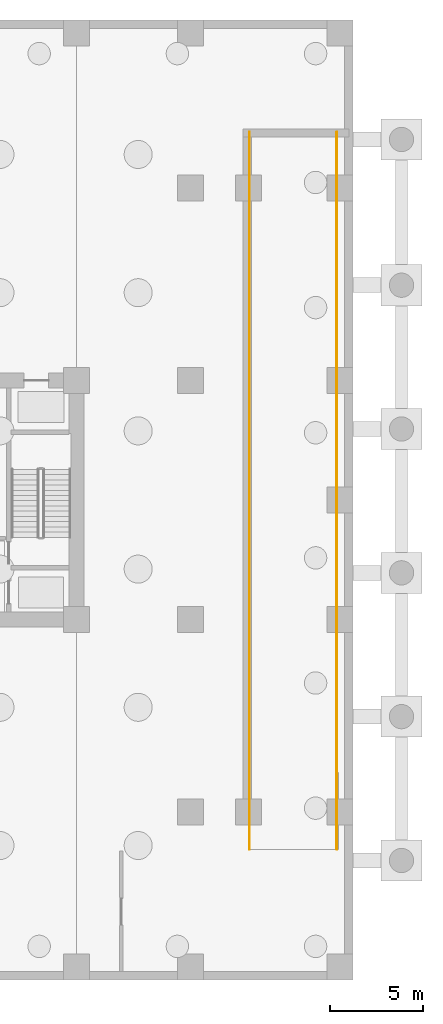
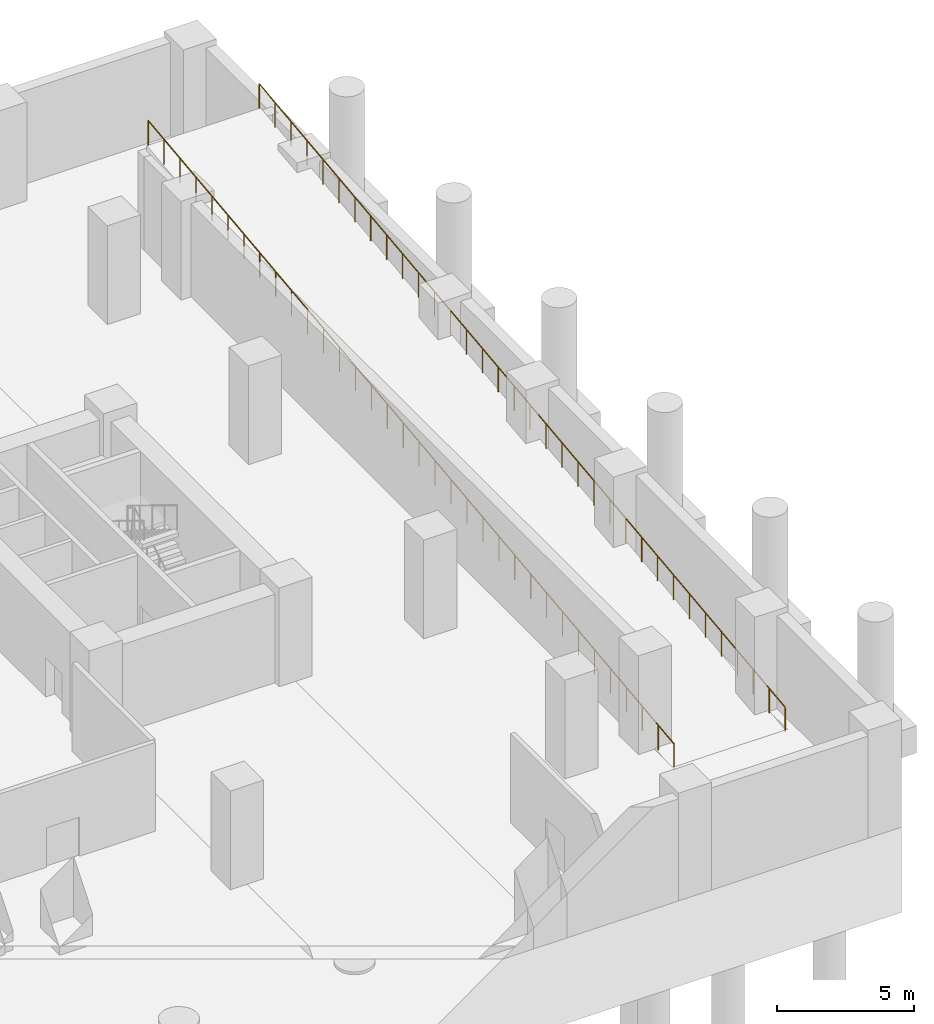
# One storey, part 5 of 6: 2 railings.
"""IFC4 building model written with IfcOpenShell, lengths in metres."""

from ifc_helpers import new_model, si_unit, direction, frame, origin, origin_2d, place, context, subcontext, project, spatial, circle, extrude, material, type_object, element, save


model = new_model("IFC4")

# Units and contexts
model_context = context("Model", 3, precision=1e-05, world=origin(), true_north=direction((0.0, 1.0)))
body_context = subcontext(model_context, "Body", "Model", "MODEL_VIEW")
ifc_project = project(units=[si_unit("LENGTHUNIT", "METRE"), si_unit("AREAUNIT", "SQUARE_METRE"), si_unit("VOLUMEUNIT", "CUBIC_METRE"), si_unit("PLANEANGLEUNIT", "RADIAN"), si_unit("MASSUNIT", "GRAM", prefix="KILO")], contexts=[model_context])

# Site, building, storey
site_placement = place(None, origin())
site = spatial("IfcSite", under=ifc_project, at=site_placement, CompositionType="ELEMENT")
building_placement = place(site_placement, origin())
building = spatial("IfcBuilding", under=site, at=building_placement, Name="Kranthara Brick Stack", CompositionType="ELEMENT")
storey_placement = place(building_placement, frame((0.0, 0.0, -4.800048828125)))
storey = spatial("IfcBuildingStorey", under=building, at=storey_placement, Name="B01", CompositionType="ELEMENT", Elevation=-4.800048828125)

# Railings
ifc_material = material(Name="Bronze anodised aluminium and laminated glass balustrade", Category="aluminium")
railing_type = type_object("IfcRailingType", Name="RL-BALC-1120", PredefinedType="BALUSTRADE", material=ifc_material)
railing_1_placement = place(storey_placement, frame((52.4599609375, 8.5, 0.300048828125)))
element("IfcRailing", 1, at=railing_1_placement, inside=storey, type_object=railing_type, Name="B01 Vehicle Ramp West Sloped Guardrail", PredefinedType="BALUSTRADE", context=body_context, shape_type="SweptSolid", body=[
    extrude(circle(Radius=0.02392578125, at=origin_2d()), frame((0.0, 0.0, 1.09619140625), z_axis=(0.0, 0.993203433267, 0.116391323334), x_axis=(-1.0, 0.0, 0.0)), (0.0, 0.0, 1.0), 38.66259765625),
    extrude(circle(Radius=0.02099609375, at=origin_2d()), origin(), (0.0, 0.0, 1.0), 1.072021484375),
    extrude(circle(Radius=0.02099609375, at=origin_2d()), frame((0.0, 1.16357421875, 0.136474609375)), (0.0, 0.0, 1.0), 1.072021484375),
    extrude(circle(Radius=0.02099609375, at=origin_2d()), frame((0.0, 2.3271484375, 0.272705078125)), (0.0, 0.0, 1.0), 1.072021484375),
    extrude(circle(Radius=0.02099609375, at=origin_2d()), frame((0.0, 3.490966796875, 0.4091796875)), (0.0, 0.0, 1.0), 1.072021484375),
    extrude(circle(Radius=0.02099609375, at=origin_2d()), frame((0.0, 4.654541015625, 0.54541015625)), (0.0, 0.0, 1.0), 1.072021484375),
    extrude(circle(Radius=0.02099609375, at=origin_2d()), frame((0.0, 5.818115234375, 0.681884765625)), (0.0, 0.0, 1.0), 1.072021484375),
    extrude(circle(Radius=0.02099609375, at=origin_2d()), frame((0.0, 6.981689453125, 0.818115234375)), (0.0, 0.0, 1.0), 1.072021484375),
    extrude(circle(Radius=0.02099609375, at=origin_2d()), frame((0.0, 8.1455078125, 0.95458984375)), (0.0, 0.0, 1.0), 1.072021484375),
    extrude(circle(Radius=0.02099609375, at=origin_2d()), frame((0.0, 9.30908203125, 1.0908203125)), (0.0, 0.0, 1.0), 1.072021484375),
    extrude(circle(Radius=0.02099609375, at=origin_2d()), frame((0.0, 10.47265625, 1.227294921875)), (0.0, 0.0, 1.0), 1.072021484375),
    extrude(circle(Radius=0.02099609375, at=origin_2d()), frame((0.0, 11.63623046875, 1.363525390625)), (0.0, 0.0, 1.0), 1.072021484375),
    extrude(circle(Radius=0.02099609375, at=origin_2d()), frame((0.0, 12.800048828125, 1.5)), (0.0, 0.0, 1.0), 1.072021484375),
    extrude(circle(Radius=0.02099609375, at=origin_2d()), frame((0.0, 13.963623046875, 1.636474609375)), (0.0, 0.0, 1.0), 1.072021484375),
    extrude(circle(Radius=0.02099609375, at=origin_2d()), frame((0.0, 15.127197265625, 1.772705078125)), (0.0, 0.0, 1.0), 1.072021484375),
    extrude(circle(Radius=0.02099609375, at=origin_2d()), frame((0.0, 16.290771484375, 1.9091796875)), (0.0, 0.0, 1.0), 1.072021484375),
    extrude(circle(Radius=0.02099609375, at=origin_2d()), frame((0.0, 17.45458984375, 2.04541015625)), (0.0, 0.0, 1.0), 1.072021484375),
    extrude(circle(Radius=0.02099609375, at=origin_2d()), frame((0.0, 18.6181640625, 2.181884765625)), (0.0, 0.0, 1.0), 1.072021484375),
    extrude(circle(Radius=0.02099609375, at=origin_2d()), frame((0.0, 19.78173828125, 2.318115234375)), (0.0, 0.0, 1.0), 1.072021484375),
    extrude(circle(Radius=0.02099609375, at=origin_2d()), frame((0.0, 20.9453125, 2.45458984375)), (0.0, 0.0, 1.0), 1.072021484375),
    extrude(circle(Radius=0.02099609375, at=origin_2d()), frame((0.0, 22.109130859375, 2.5908203125)), (0.0, 0.0, 1.0), 1.072021484375),
    extrude(circle(Radius=0.02099609375, at=origin_2d()), frame((0.0, 23.272705078125, 2.727294921875)), (0.0, 0.0, 1.0), 1.072021484375),
    extrude(circle(Radius=0.02099609375, at=origin_2d()), frame((0.0, 24.436279296875, 2.863525390625)), (0.0, 0.0, 1.0), 1.072021484375),
    extrude(circle(Radius=0.02099609375, at=origin_2d()), frame((0.0, 25.599853515625, 3.0)), (0.0, 0.0, 1.0), 1.072021484375),
    extrude(circle(Radius=0.02099609375, at=origin_2d()), frame((0.0, 26.763671875, 3.136474609375)), (0.0, 0.0, 1.0), 1.072021484375),
    extrude(circle(Radius=0.02099609375, at=origin_2d()), frame((0.0, 27.92724609375, 3.272705078125)), (0.0, 0.0, 1.0), 1.072021484375),
    extrude(circle(Radius=0.02099609375, at=origin_2d()), frame((0.0, 29.0908203125, 3.4091796875)), (0.0, 0.0, 1.0), 1.072021484375),
    extrude(circle(Radius=0.02099609375, at=origin_2d()), frame((0.0, 30.25439453125, 3.54541015625)), (0.0, 0.0, 1.0), 1.072021484375),
    extrude(circle(Radius=0.02099609375, at=origin_2d()), frame((0.0, 31.418212890625, 3.681884765625)), (0.0, 0.0, 1.0), 1.072021484375),
    extrude(circle(Radius=0.02099609375, at=origin_2d()), frame((0.0, 32.581787109375, 3.818115234375)), (0.0, 0.0, 1.0), 1.072021484375),
    extrude(circle(Radius=0.02099609375, at=origin_2d()), frame((0.0, 33.745361328125, 3.95458984375)), (0.0, 0.0, 1.0), 1.072021484375),
    extrude(circle(Radius=0.02099609375, at=origin_2d()), frame((0.0, 34.908935546875, 4.0908203125)), (0.0, 0.0, 1.0), 1.072021484375),
    extrude(circle(Radius=0.02099609375, at=origin_2d()), frame((0.0, 36.07275390625, 4.227294921875)), (0.0, 0.0, 1.0), 1.072021484375),
    extrude(circle(Radius=0.02099609375, at=origin_2d()), frame((0.0, 37.236328125, 4.363525390625)), (0.0, 0.0, 1.0), 1.072021484375),
    extrude(circle(Radius=0.02099609375, at=origin_2d()), frame((0.0, 38.39990234375, 4.5)), (0.0, 0.0, 1.0), 1.072021484375),
])
railing_2_placement = place(storey_placement, frame((57.139892578125, 8.5, 0.300048828125)))
element("IfcRailing", 2, at=railing_2_placement, inside=storey, type_object=railing_type, Name="B01 Vehicle Ramp East Sloped Guardrail", PredefinedType="BALUSTRADE", context=body_context, shape_type="SweptSolid", body=[
    extrude(circle(Radius=0.02392578125, at=origin_2d()), frame((0.0, 0.0, 1.09619140625), z_axis=(0.0, 0.993203433267, 0.116391323334), x_axis=(-1.0, 0.0, 0.0)), (0.0, 0.0, 1.0), 38.66259765625),
    extrude(circle(Radius=0.02099609375, at=origin_2d()), origin(), (0.0, 0.0, 1.0), 1.072021484375),
    extrude(circle(Radius=0.02099609375, at=origin_2d()), frame((0.0, 1.16357421875, 0.136474609375)), (0.0, 0.0, 1.0), 1.072021484375),
    extrude(circle(Radius=0.02099609375, at=origin_2d()), frame((0.0, 2.3271484375, 0.272705078125)), (0.0, 0.0, 1.0), 1.072021484375),
    extrude(circle(Radius=0.02099609375, at=origin_2d()), frame((0.0, 3.490966796875, 0.4091796875)), (0.0, 0.0, 1.0), 1.072021484375),
    extrude(circle(Radius=0.02099609375, at=origin_2d()), frame((0.0, 4.654541015625, 0.54541015625)), (0.0, 0.0, 1.0), 1.072021484375),
    extrude(circle(Radius=0.02099609375, at=origin_2d()), frame((0.0, 5.818115234375, 0.681884765625)), (0.0, 0.0, 1.0), 1.072021484375),
    extrude(circle(Radius=0.02099609375, at=origin_2d()), frame((0.0, 6.981689453125, 0.818115234375)), (0.0, 0.0, 1.0), 1.072021484375),
    extrude(circle(Radius=0.02099609375, at=origin_2d()), frame((0.0, 8.1455078125, 0.95458984375)), (0.0, 0.0, 1.0), 1.072021484375),
    extrude(circle(Radius=0.02099609375, at=origin_2d()), frame((0.0, 9.30908203125, 1.0908203125)), (0.0, 0.0, 1.0), 1.072021484375),
    extrude(circle(Radius=0.02099609375, at=origin_2d()), frame((0.0, 10.47265625, 1.227294921875)), (0.0, 0.0, 1.0), 1.072021484375),
    extrude(circle(Radius=0.02099609375, at=origin_2d()), frame((0.0, 11.63623046875, 1.363525390625)), (0.0, 0.0, 1.0), 1.072021484375),
    extrude(circle(Radius=0.02099609375, at=origin_2d()), frame((0.0, 12.800048828125, 1.5)), (0.0, 0.0, 1.0), 1.072021484375),
    extrude(circle(Radius=0.02099609375, at=origin_2d()), frame((0.0, 13.963623046875, 1.636474609375)), (0.0, 0.0, 1.0), 1.072021484375),
    extrude(circle(Radius=0.02099609375, at=origin_2d()), frame((0.0, 15.127197265625, 1.772705078125)), (0.0, 0.0, 1.0), 1.072021484375),
    extrude(circle(Radius=0.02099609375, at=origin_2d()), frame((0.0, 16.290771484375, 1.9091796875)), (0.0, 0.0, 1.0), 1.072021484375),
    extrude(circle(Radius=0.02099609375, at=origin_2d()), frame((0.0, 17.45458984375, 2.04541015625)), (0.0, 0.0, 1.0), 1.072021484375),
    extrude(circle(Radius=0.02099609375, at=origin_2d()), frame((0.0, 18.6181640625, 2.181884765625)), (0.0, 0.0, 1.0), 1.072021484375),
    extrude(circle(Radius=0.02099609375, at=origin_2d()), frame((0.0, 19.78173828125, 2.318115234375)), (0.0, 0.0, 1.0), 1.072021484375),
    extrude(circle(Radius=0.02099609375, at=origin_2d()), frame((0.0, 20.9453125, 2.45458984375)), (0.0, 0.0, 1.0), 1.072021484375),
    extrude(circle(Radius=0.02099609375, at=origin_2d()), frame((0.0, 22.109130859375, 2.5908203125)), (0.0, 0.0, 1.0), 1.072021484375),
    extrude(circle(Radius=0.02099609375, at=origin_2d()), frame((0.0, 23.272705078125, 2.727294921875)), (0.0, 0.0, 1.0), 1.072021484375),
    extrude(circle(Radius=0.02099609375, at=origin_2d()), frame((0.0, 24.436279296875, 2.863525390625)), (0.0, 0.0, 1.0), 1.072021484375),
    extrude(circle(Radius=0.02099609375, at=origin_2d()), frame((0.0, 25.599853515625, 3.0)), (0.0, 0.0, 1.0), 1.072021484375),
    extrude(circle(Radius=0.02099609375, at=origin_2d()), frame((0.0, 26.763671875, 3.136474609375)), (0.0, 0.0, 1.0), 1.072021484375),
    extrude(circle(Radius=0.02099609375, at=origin_2d()), frame((0.0, 27.92724609375, 3.272705078125)), (0.0, 0.0, 1.0), 1.072021484375),
    extrude(circle(Radius=0.02099609375, at=origin_2d()), frame((0.0, 29.0908203125, 3.4091796875)), (0.0, 0.0, 1.0), 1.072021484375),
    extrude(circle(Radius=0.02099609375, at=origin_2d()), frame((0.0, 30.25439453125, 3.54541015625)), (0.0, 0.0, 1.0), 1.072021484375),
    extrude(circle(Radius=0.02099609375, at=origin_2d()), frame((0.0, 31.418212890625, 3.681884765625)), (0.0, 0.0, 1.0), 1.072021484375),
    extrude(circle(Radius=0.02099609375, at=origin_2d()), frame((0.0, 32.581787109375, 3.818115234375)), (0.0, 0.0, 1.0), 1.072021484375),
    extrude(circle(Radius=0.02099609375, at=origin_2d()), frame((0.0, 33.745361328125, 3.95458984375)), (0.0, 0.0, 1.0), 1.072021484375),
    extrude(circle(Radius=0.02099609375, at=origin_2d()), frame((0.0, 34.908935546875, 4.0908203125)), (0.0, 0.0, 1.0), 1.072021484375),
    extrude(circle(Radius=0.02099609375, at=origin_2d()), frame((0.0, 36.07275390625, 4.227294921875)), (0.0, 0.0, 1.0), 1.072021484375),
    extrude(circle(Radius=0.02099609375, at=origin_2d()), frame((0.0, 37.236328125, 4.363525390625)), (0.0, 0.0, 1.0), 1.072021484375),
    extrude(circle(Radius=0.02099609375, at=origin_2d()), frame((0.0, 38.39990234375, 4.5)), (0.0, 0.0, 1.0), 1.072021484375),
])

save(model, "model.ifc")
